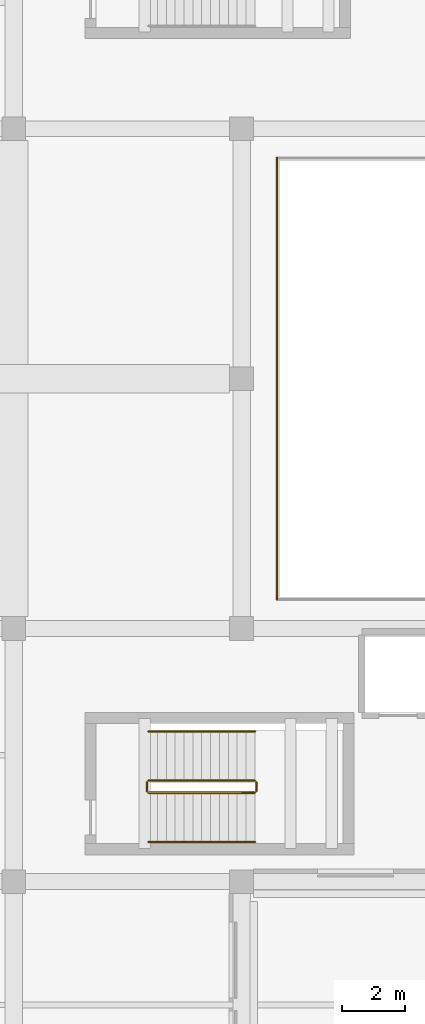
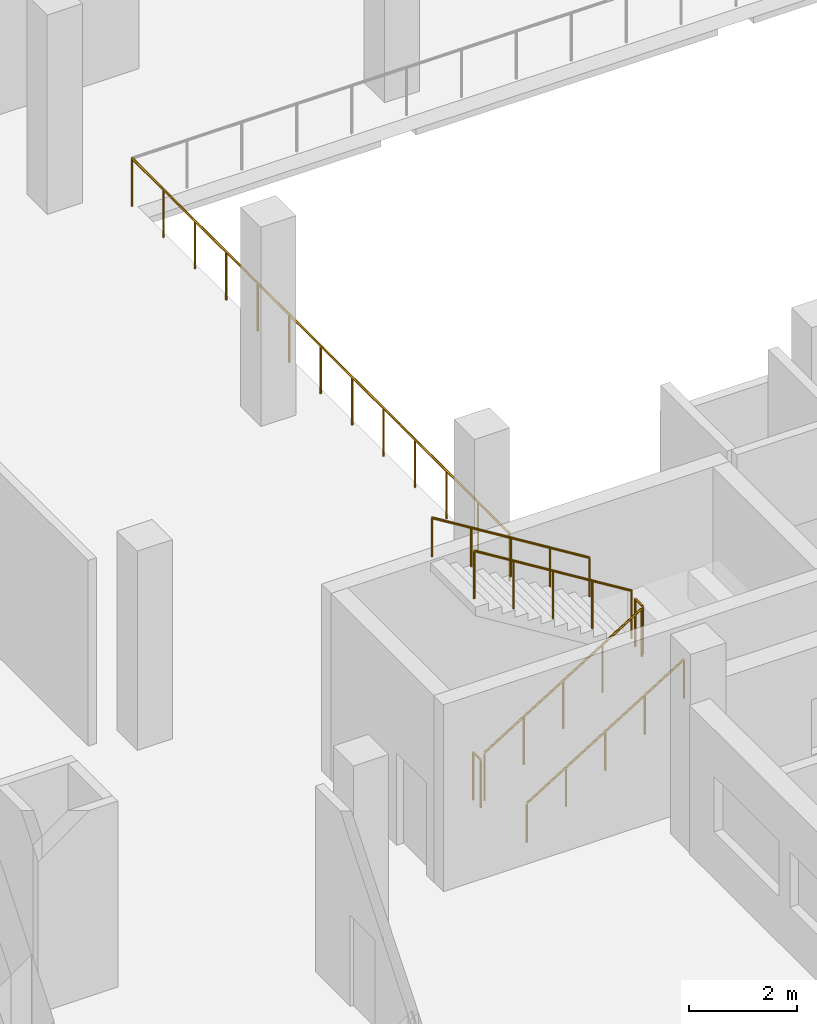
# One storey, part 48 of 54: 7 railings.
"""IFC4 building model written with IfcOpenShell, lengths in metres."""

from ifc_helpers import new_model, si_unit, direction, frame, origin, origin_2d, place, context, subcontext, project, spatial, circle, extrude, material, type_object, element, save


model = new_model("IFC4")

# Units and contexts
model_context = context("Model", 3, precision=1e-05, world=origin(), true_north=direction((0.0, 1.0)))
body_context = subcontext(model_context, "Body", "Model", "MODEL_VIEW")
ifc_project = project(units=[si_unit("LENGTHUNIT", "METRE"), si_unit("AREAUNIT", "SQUARE_METRE"), si_unit("VOLUMEUNIT", "CUBIC_METRE"), si_unit("PLANEANGLEUNIT", "RADIAN"), si_unit("MASSUNIT", "GRAM", prefix="KILO")], contexts=[model_context])

# Site, building, storey
site_placement = place(None, origin())
site = spatial("IfcSite", under=ifc_project, at=site_placement, CompositionType="ELEMENT")
building_placement = place(site_placement, origin())
building = spatial("IfcBuilding", under=site, at=building_placement, Name="Kelarvand Opera House", CompositionType="ELEMENT")
storey_placement = place(building_placement, frame((0.0, 0.0, 15.0)))
storey = spatial("IfcBuildingStorey", under=building, at=storey_placement, Name="L03", CompositionType="ELEMENT", Elevation=15.0)

# Railings
ifc_material_1 = material(Name="Brushed bronze tubular rail")
railing_type_1 = type_object("IfcRailingType", Name="Brushed Bronze Stair Wall Handrail 900", PredefinedType="HANDRAIL", material=ifc_material_1)
railing_1_placement = place(storey_placement, frame((63.4599609375, 47.85009765625, 0.173095703125)))
element("IfcRailing", 1, at=railing_1_placement, inside=storey, type_object=railing_type_1, Name="L03 ST-02 stair handrail 1", PredefinedType="HANDRAIL", context=body_context, shape_type="SweptSolid", body=[
    extrude(circle(Radius=0.02392578125, at=origin_2d()), frame((0.0, 0.0, 0.8759765625), z_axis=(0.850623216509, 0.0, 0.525775754039), x_axis=(0.0, 1.0, 0.0)), (0.0, 0.0, 1.0), 3.9501953125),
    extrude(circle(Radius=0.02099609375, at=origin_2d()), origin(), (0.0, 0.0, 1.0), 0.851806640625),
    extrude(circle(Radius=0.02099609375, at=origin_2d()), frame((0.840087890625, 0.0, 0.519287109375)), (0.0, 0.0, 1.0), 0.851806640625),
    extrude(circle(Radius=0.02099609375, at=origin_2d()), frame((1.68017578125, 0.0, 1.03857421875)), (0.0, 0.0, 1.0), 0.851806640625),
    extrude(circle(Radius=0.02099609375, at=origin_2d()), frame((2.52001953125, 0.0, 1.5576171875)), (0.0, 0.0, 1.0), 0.851806640625),
    extrude(circle(Radius=0.02099609375, at=origin_2d()), frame((3.360107421875, 0.0, 2.076904296875)), (0.0, 0.0, 1.0), 0.851806640625),
])
railing_2_placement = place(storey_placement, frame((66.820068359375, 51.35009765625, 2.423095703125)))
element("IfcRailing", 2, at=railing_2_placement, inside=storey, type_object=railing_type_1, Name="L03 ST-02 stair handrail 2", PredefinedType="HANDRAIL", context=body_context, shape_type="SweptSolid", body=[
    extrude(circle(Radius=0.02392578125, at=origin_2d()), frame((0.0, 0.0, 0.8759765625), z_axis=(-0.850623216509, 0.0, 0.525775754039), x_axis=(0.0, -1.0, 0.0)), (0.0, 0.0, 1.0), 3.9501953125),
    extrude(circle(Radius=0.02099609375, at=origin_2d()), origin(), (0.0, 0.0, 1.0), 0.851806640625),
    extrude(circle(Radius=0.02099609375, at=origin_2d()), frame((-0.840087890625, 0.0, 0.519287109375)), (0.0, 0.0, 1.0), 0.851806640625),
    extrude(circle(Radius=0.02099609375, at=origin_2d()), frame((-1.68017578125, 0.0, 1.03857421875)), (0.0, 0.0, 1.0), 0.851806640625),
    extrude(circle(Radius=0.02099609375, at=origin_2d()), frame((-2.52001953125, 0.0, 1.5576171875)), (0.0, 0.0, 1.0), 0.851806640625),
    extrude(circle(Radius=0.02099609375, at=origin_2d()), frame((-3.360107421875, 0.0, 2.076904296875)), (0.0, 0.0, 1.0), 0.851806640625),
])
ifc_material_2 = material(Name="Powder-coated Steel S355", Category="steel")
railing_type_2 = type_object("IfcRailingType", Name="Painted Steel Stair and Void Guardrail 1100", PredefinedType="GUARDRAIL", material=ifc_material_2)
railing_3_placement = place(storey_placement, frame((63.4599609375, 49.409912109375, 0.173095703125)))
element("IfcRailing", 3, at=railing_3_placement, inside=storey, type_object=railing_type_2, Name="L03 ST-02 stair guard 1", PredefinedType="GUARDRAIL", context=body_context, shape_type="SweptSolid", body=[
    extrude(circle(Radius=0.02392578125, at=origin_2d()), frame((0.0, 0.0, 1.076171875), z_axis=(0.850623216509, 0.0, 0.525775754039), x_axis=(0.0, 1.0, 0.0)), (0.0, 0.0, 1.0), 3.9501953125),
    extrude(circle(Radius=0.02099609375, at=origin_2d()), origin(), (0.0, 0.0, 1.0), 1.052001953125),
    extrude(circle(Radius=0.02099609375, at=origin_2d()), frame((0.840087890625, 0.0, 0.519287109375)), (0.0, 0.0, 1.0), 1.052001953125),
    extrude(circle(Radius=0.02099609375, at=origin_2d()), frame((1.68017578125, 0.0, 1.03857421875)), (0.0, 0.0, 1.0), 1.052001953125),
    extrude(circle(Radius=0.02099609375, at=origin_2d()), frame((2.52001953125, 0.0, 1.5576171875)), (0.0, 0.0, 1.0), 1.052001953125),
    extrude(circle(Radius=0.02099609375, at=origin_2d()), frame((3.360107421875, 0.0, 2.076904296875)), (0.0, 0.0, 1.0), 1.052001953125),
])
railing_4_placement = place(storey_placement, frame((66.8701171875, 49.4599609375, 2.25)))
element("IfcRailing", 4, at=railing_4_placement, inside=storey, type_object=railing_type_2, Name="L03 ST-02 stair guard 2", PredefinedType="GUARDRAIL", context=body_context, shape_type="SweptSolid", body=[
    extrude(circle(Radius=0.02392578125, at=origin_2d()), frame((0.0, 0.0, 1.076171875), z_axis=(0.0, 1.0, 0.0), x_axis=(-1.0, 0.0, 0.0)), (0.0, 0.0, 1.0), 0.280029296875),
    extrude(circle(Radius=0.02099609375, at=origin_2d()), origin(), (0.0, 0.0, 1.0), 1.052001953125),
    extrude(circle(Radius=0.02099609375, at=origin_2d()), frame((0.0, 0.280029296875, 0.0)), (0.0, 0.0, 1.0), 1.052001953125),
])
railing_5_placement = place(storey_placement, frame((66.820068359375, 49.7900390625, 2.423095703125)))
element("IfcRailing", 5, at=railing_5_placement, inside=storey, type_object=railing_type_2, Name="L03 ST-02 stair guard 3", PredefinedType="GUARDRAIL", context=body_context, shape_type="SweptSolid", body=[
    extrude(circle(Radius=0.02392578125, at=origin_2d()), frame((0.0, 0.0, 1.076171875), z_axis=(-0.850623216509, 0.0, 0.525775754039), x_axis=(0.0, -1.0, 0.0)), (0.0, 0.0, 1.0), 3.9501953125),
    extrude(circle(Radius=0.02099609375, at=origin_2d()), origin(), (0.0, 0.0, 1.0), 1.052001953125),
    extrude(circle(Radius=0.02099609375, at=origin_2d()), frame((-0.840087890625, 0.0, 0.519287109375)), (0.0, 0.0, 1.0), 1.052001953125),
    extrude(circle(Radius=0.02099609375, at=origin_2d()), frame((-1.68017578125, 0.0, 1.03857421875)), (0.0, 0.0, 1.0), 1.052001953125),
    extrude(circle(Radius=0.02099609375, at=origin_2d()), frame((-2.52001953125, 0.0, 1.5576171875)), (0.0, 0.0, 1.0), 1.052001953125),
    extrude(circle(Radius=0.02099609375, at=origin_2d()), frame((-3.360107421875, 0.0, 2.076904296875)), (0.0, 0.0, 1.0), 1.052001953125),
])
railing_6_placement = place(storey_placement, frame((63.409912109375, 49.4599609375, 0.0)))
element("IfcRailing", 6, at=railing_6_placement, inside=storey, type_object=railing_type_2, Name="L03 ST-02 stair guard 4", PredefinedType="GUARDRAIL", context=body_context, shape_type="SweptSolid", body=[
    extrude(circle(Radius=0.02392578125, at=origin_2d()), frame((0.0, 0.0, 1.076171875), z_axis=(0.0, 1.0, 0.0), x_axis=(-1.0, 0.0, 0.0)), (0.0, 0.0, 1.0), 0.280029296875),
    extrude(circle(Radius=0.02099609375, at=origin_2d()), origin(), (0.0, 0.0, 1.0), 1.052001953125),
    extrude(circle(Radius=0.02099609375, at=origin_2d()), frame((0.0, 0.280029296875, 0.0)), (0.0, 0.0, 1.0), 1.052001953125),
])
railing_7_placement = place(storey_placement, frame((67.52001953125, 55.52001953125, 0.0)))
element("IfcRailing", 7, at=railing_7_placement, inside=storey, type_object=railing_type_2, Name="V2 L03 Guardrail 87", PredefinedType="GUARDRAIL", context=body_context, shape_type="SweptSolid", body=[
    extrude(circle(Radius=0.02392578125, at=origin_2d()), frame((0.0, 0.0, 1.076171875), z_axis=(0.0, 1.0, 0.0), x_axis=(-1.0, 0.0, 0.0)), (0.0, 0.0, 1.0), 13.9599609375),
    extrude(circle(Radius=0.02099609375, at=origin_2d()), origin(), (0.0, 0.0, 1.0), 1.052001953125),
    extrude(circle(Radius=0.02099609375, at=origin_2d()), frame((0.0, 1.163330078125, 0.0)), (0.0, 0.0, 1.0), 1.052001953125),
    extrude(circle(Radius=0.02099609375, at=origin_2d()), frame((0.0, 2.32666015625, 0.0)), (0.0, 0.0, 1.0), 1.052001953125),
    extrude(circle(Radius=0.02099609375, at=origin_2d()), frame((0.0, 3.489990234375, 0.0)), (0.0, 0.0, 1.0), 1.052001953125),
    extrude(circle(Radius=0.02099609375, at=origin_2d()), frame((0.0, 4.6533203125, 0.0)), (0.0, 0.0, 1.0), 1.052001953125),
    extrude(circle(Radius=0.02099609375, at=origin_2d()), frame((0.0, 5.816650390625, 0.0)), (0.0, 0.0, 1.0), 1.052001953125),
    extrude(circle(Radius=0.02099609375, at=origin_2d()), frame((0.0, 6.97998046875, 0.0)), (0.0, 0.0, 1.0), 1.052001953125),
    extrude(circle(Radius=0.02099609375, at=origin_2d()), frame((0.0, 8.143310546875, 0.0)), (0.0, 0.0, 1.0), 1.052001953125),
    extrude(circle(Radius=0.02099609375, at=origin_2d()), frame((0.0, 9.306640625, 0.0)), (0.0, 0.0, 1.0), 1.052001953125),
    extrude(circle(Radius=0.02099609375, at=origin_2d()), frame((0.0, 10.469970703125, 0.0)), (0.0, 0.0, 1.0), 1.052001953125),
    extrude(circle(Radius=0.02099609375, at=origin_2d()), frame((0.0, 11.63330078125, 0.0)), (0.0, 0.0, 1.0), 1.052001953125),
    extrude(circle(Radius=0.02099609375, at=origin_2d()), frame((0.0, 12.796630859375, 0.0)), (0.0, 0.0, 1.0), 1.052001953125),
    extrude(circle(Radius=0.02099609375, at=origin_2d()), frame((0.0, 13.9599609375, 0.0)), (0.0, 0.0, 1.0), 1.052001953125),
])

save(model, "model.ifc")
